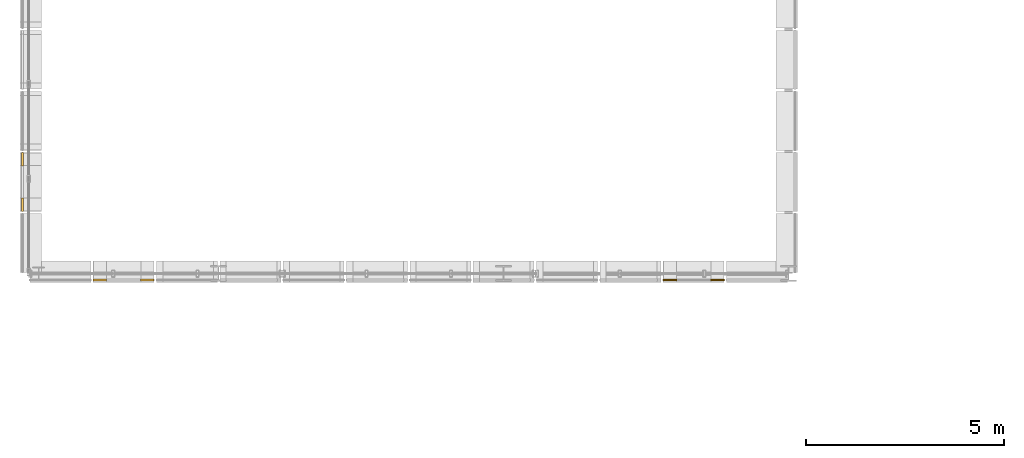
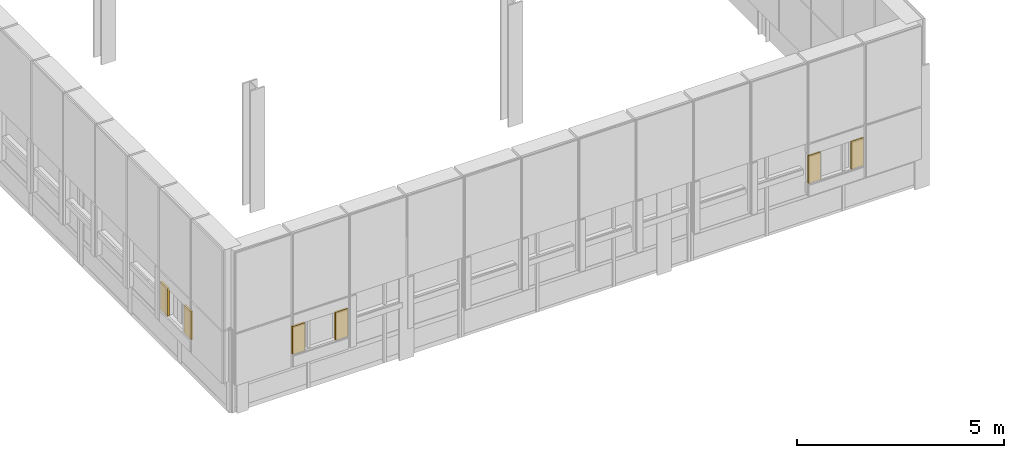
# One storey, part 92 of 96: 6 coverings.
"""IFC4 building model written with IfcOpenShell, lengths in metres."""

from ifc_helpers import new_model, si_unit, direction, frame, origin, origin_2d, place, context, subcontext, project, spatial, rectangle, extrude, material, layer, layer_set, type_object, element, save


model = new_model("IFC4")

# Units and contexts
model_context = context("Model", 3, precision=1e-05, world=origin(), true_north=direction((0.0, 1.0)))
body_context = subcontext(model_context, "Body", "Model", "MODEL_VIEW")
ifc_project = project(units=[si_unit("LENGTHUNIT", "METRE"), si_unit("AREAUNIT", "SQUARE_METRE"), si_unit("VOLUMEUNIT", "CUBIC_METRE"), si_unit("PLANEANGLEUNIT", "RADIAN"), si_unit("MASSUNIT", "GRAM", prefix="KILO")], contexts=[model_context])

# Site, building, storey
site_placement = place(None, origin())
site = spatial("IfcSite", under=ifc_project, at=site_placement, CompositionType="ELEMENT")
building_placement = place(site_placement, origin())
building = spatial("IfcBuilding", under=site, at=building_placement, Name="Yarey Park Central Fire Station", CompositionType="ELEMENT")
storey_placement = place(building_placement, frame((0.0, 0.0, 14.39990234375)))
storey = spatial("IfcBuildingStorey", under=building, at=storey_placement, Name="L04", CompositionType="ELEMENT", Elevation=14.39990234375)

# Coverings
ifc_material = material(Name="Perforated Powder-Coated Aluminium Cladding", Category="aluminium")
ifc_layer_1 = layer(ifc_material, 0.0419921875)
ifc_layer_set_1 = layer_set([ifc_layer_1], Name="Perforated Powder-Coated Aluminium Cladding")
covering_type_1 = type_object("IfcCoveringType", Name="ENV_COV_PERF_1", PredefinedType="CLADDING", material=ifc_layer_set_1)
for number, where, z_axis, x_axis, name in (
    (1, (25.800048828125, 21.43994140625, 1.22509765625), (0.0, 0.0, 1.0), (1.0, 0.0, 0.0), "PERF_L04_0183"),
    (2, (27.0, 21.43994140625, 1.22509765625), (0.0, 0.0, 1.0), (1.0, 0.0, 0.0), "PERF_L04_0184"),
):
    element("IfcCovering", number, at=place(storey_placement, frame(where, z_axis=z_axis, x_axis=x_axis)), inside=storey, type_object=covering_type_1, Name=name, PredefinedType="CLADDING", context=body_context, shape_type="SweptSolid", body=[
        extrude(rectangle(XDim=0.340087890625, YDim=0.0419921875, at=origin_2d()), origin(), (0.0, 0.0, 1.0), 0.820068359375),
    ])
ifc_layer_2 = layer(ifc_material, 0.053955078125)
ifc_layer_set_2 = layer_set([ifc_layer_2], Name="Perforated Powder-Coated Aluminium Cladding")
covering_type_2 = type_object("IfcCoveringType", Name="ENV_COV_PERF_2", PredefinedType="CLADDING", material=ifc_layer_set_2)
for number, where, z_axis, x_axis, name in (
    (3, (9.43994140625, 23.343017578125, 1.22509765625), (0.0, 0.0, 1.0), (0.0, 1.0, 0.0), "PERF_L04_0014"),
    (4, (9.43994140625, 24.485595703125, 1.22509765625), (0.0, 0.0, 1.0), (0.0, 1.0, 0.0), "PERF_L04_0015"),
    (5, (11.39990234375, 21.43994140625, 1.22509765625), (0.0, 0.0, 1.0), (1.0, 0.0, 0.0), "PERF_L04_0116"),
    (6, (12.60009765625, 21.43994140625, 1.22509765625), (0.0, 0.0, 1.0), (1.0, 0.0, 0.0), "PERF_L04_0117"),
):
    element("IfcCovering", number, at=place(storey_placement, frame(where, z_axis=z_axis, x_axis=x_axis)), inside=storey, type_object=covering_type_2, Name=name, PredefinedType="CLADDING", context=body_context, shape_type="SweptSolid", body=[
        extrude(rectangle(XDim=0.340087890625, YDim=0.053955078125, at=origin_2d()), origin(), (0.0, 0.0, 1.0), 0.820068359375),
    ])

save(model, "model.ifc")
